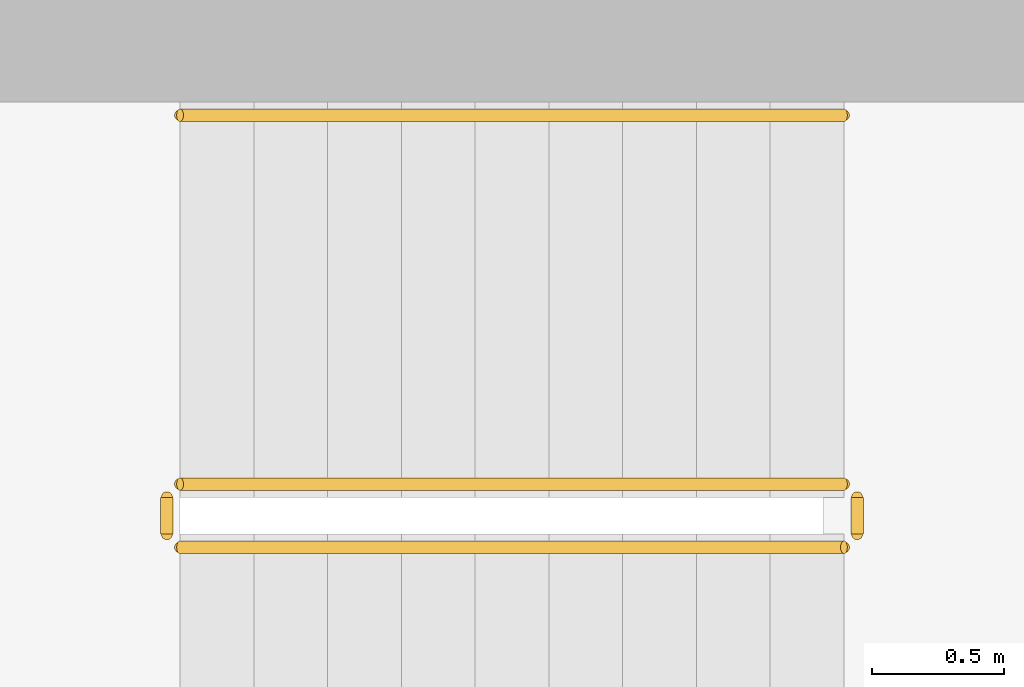
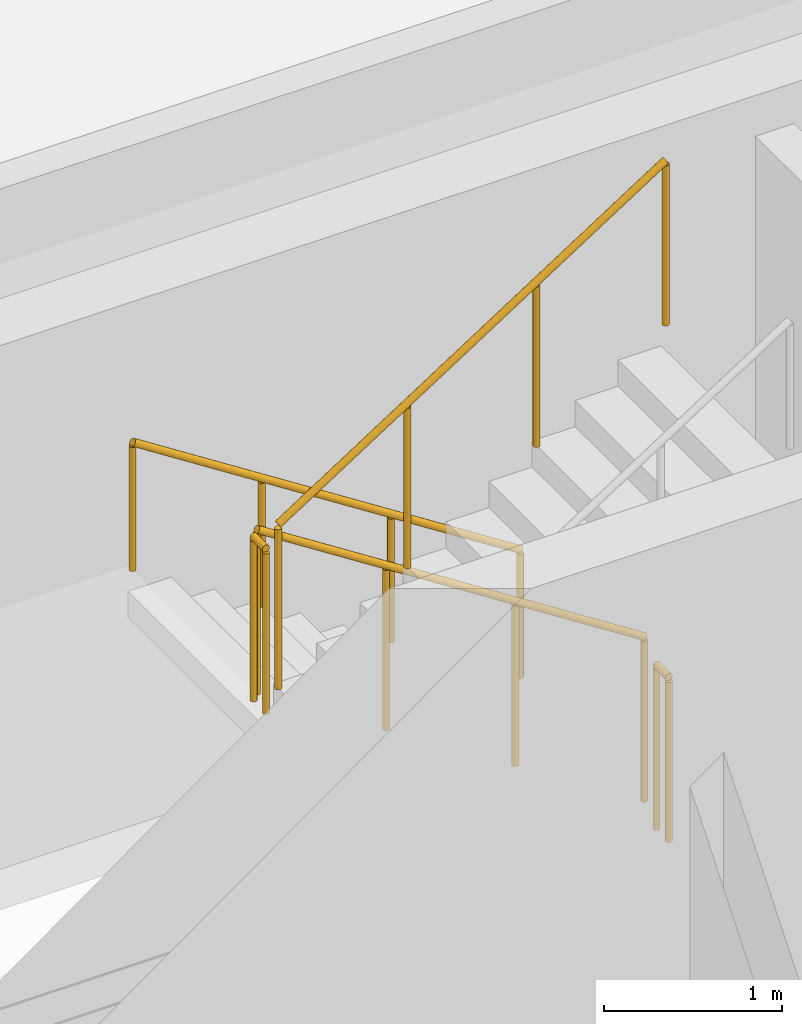
# One storey, part 11 of 12: 5 railings.
"""IFC4 building model written with IfcOpenShell, lengths in metres."""

from ifc_helpers import new_model, si_unit, derived_unit, direction, frame, origin, origin_2d, place, context, subcontext, project, spatial, circle, extrude, material, type_object, element, save


model = new_model("IFC4")

# Units and contexts
model_context = context("Model", 3, precision=1e-05, world=origin(), true_north=direction((0.0, 1.0)))
body_context = subcontext(model_context, "Body", "Model", "MODEL_VIEW")
ifc_project = project(units=[si_unit("LENGTHUNIT", "METRE"), si_unit("AREAUNIT", "SQUARE_METRE"), si_unit("VOLUMEUNIT", "CUBIC_METRE"), si_unit("PLANEANGLEUNIT", "RADIAN"), si_unit("MASSUNIT", "GRAM", prefix="KILO"), derived_unit("THERMALTRANSMITTANCEUNIT", [(si_unit("POWERUNIT", "WATT"), 1), (si_unit("LENGTHUNIT", "METRE"), -2), (si_unit("THERMODYNAMICTEMPERATUREUNIT", "KELVIN"), -1)])], contexts=[model_context])

# Site, building, storey
site_placement = place(None, origin())
site = spatial("IfcSite", under=ifc_project, at=site_placement, CompositionType="ELEMENT")
building_placement = place(site_placement, origin())
building = spatial("IfcBuilding", under=site, at=building_placement, Name="Kivonza Crest Hotel", CompositionType="ELEMENT")
storey_placement = place(building_placement, frame((0.0, 0.0, 184.699951171875)))
storey = spatial("IfcBuildingStorey", under=building, at=storey_placement, Name="L50", CompositionType="ELEMENT", Elevation=184.699951171875)

# Railings
ifc_material_1 = material(Name="Brushed stainless steel handrail", Category="steel")
railing_type_1 = type_object("IfcRailingType", Name="RL-HAND-900", PredefinedType="HANDRAIL", material=ifc_material_1)
railing_1_placement = place(storey_placement, frame((12.239990234375, 36.110107421875, 0.179931640625)))
element("IfcRailing", 1, at=railing_1_placement, inside=storey, type_object=railing_type_1, Name="L50 ST-T1-N stair handrail 1", PredefinedType="HANDRAIL", context=body_context, shape_type="SweptSolid", body=[
    extrude(circle(Radius=0.02392578125, at=origin_2d()), frame((0.0, 0.0, 0.8759765625), z_axis=(-0.841162588446, 0.0, 0.540782303519), x_axis=(0.0, -1.0, 0.0)), (0.0, 0.0, 1.0), 2.995849609375),
    extrude(circle(Radius=0.02099609375, at=origin_2d()), origin(), (0.0, 0.0, 1.0), 0.851806640625),
    extrude(circle(Radius=0.02099609375, at=origin_2d()), frame((-0.840087890625, 0.0, 0.5400390625)), (0.0, 0.0, 1.0), 0.851806640625),
    extrude(circle(Radius=0.02099609375, at=origin_2d()), frame((-1.679931640625, 0.0, 1.080078125)), (0.0, 0.0, 1.0), 0.851806640625),
    extrude(circle(Radius=0.02099609375, at=origin_2d()), frame((-2.52001953125, 0.0, 1.6201171875)), (0.0, 0.0, 1.0), 0.851806640625),
])
ifc_material_2 = material(Name="Painted steel balustrade", Category="steel")
railing_type_2 = type_object("IfcRailingType", Name="RL-STAIR-1150", PredefinedType="BALUSTRADE", material=ifc_material_2)
railing_2_placement = place(storey_placement, frame((12.239990234375, 34.7099609375, 0.179931640625)))
element("IfcRailing", 2, at=railing_2_placement, inside=storey, type_object=railing_type_2, Name="L50 ST-T1-N stair guard 1", PredefinedType="BALUSTRADE", context=body_context, shape_type="SweptSolid", body=[
    extrude(circle(Radius=0.02392578125, at=origin_2d()), frame((0.0, 0.0, 1.1259765625), z_axis=(-0.841162588446, 0.0, 0.540782303519), x_axis=(0.0, -1.0, 0.0)), (0.0, 0.0, 1.0), 2.995849609375),
    extrude(circle(Radius=0.02099609375, at=origin_2d()), origin(), (0.0, 0.0, 1.0), 1.101806640625),
    extrude(circle(Radius=0.02099609375, at=origin_2d()), frame((-0.840087890625, 0.0, 0.5400390625)), (0.0, 0.0, 1.0), 1.101806640625),
    extrude(circle(Radius=0.02099609375, at=origin_2d()), frame((-1.679931640625, 0.0, 1.080078125)), (0.0, 0.0, 1.0), 1.101806640625),
    extrude(circle(Radius=0.02099609375, at=origin_2d()), frame((-2.52001953125, 0.0, 1.6201171875)), (0.0, 0.0, 1.0), 1.101806640625),
])
railing_3_placement = place(storey_placement, frame((9.669921875, 34.659912109375, 1.800048828125)))
element("IfcRailing", 3, at=railing_3_placement, inside=storey, type_object=railing_type_2, Name="L50 ST-T1-N stair guard 2", PredefinedType="BALUSTRADE", context=body_context, shape_type="SweptSolid", body=[
    extrude(circle(Radius=0.02392578125, at=origin_2d()), frame((0.0, 0.0, 1.1259765625), z_axis=(0.0, -1.0, 0.0), x_axis=(1.0, 0.0, 0.0)), (0.0, 0.0, 1.0), 0.139892578125),
    extrude(circle(Radius=0.02099609375, at=origin_2d()), origin(), (0.0, 0.0, 1.0), 1.101806640625),
    extrude(circle(Radius=0.02099609375, at=origin_2d()), frame((0.0, -0.139892578125, 0.0)), (0.0, 0.0, 1.0), 1.101806640625),
])
railing_4_placement = place(storey_placement, frame((9.719970703125, 34.469970703125, 1.97998046875)))
element("IfcRailing", 4, at=railing_4_placement, inside=storey, type_object=railing_type_2, Name="L50 ST-T1-N stair guard 3", PredefinedType="BALUSTRADE", context=body_context, shape_type="SweptSolid", body=[
    extrude(circle(Radius=0.02392578125, at=origin_2d()), frame((0.0, 0.0, 1.1259765625), z_axis=(0.841162588446, 0.0, 0.540782303519), x_axis=(0.0, 1.0, 0.0)), (0.0, 0.0, 1.0), 2.995849609375),
    extrude(circle(Radius=0.02099609375, at=origin_2d()), origin(), (0.0, 0.0, 1.0), 1.101806640625),
    extrude(circle(Radius=0.02099609375, at=origin_2d()), frame((0.840087890625, 0.0, 0.5400390625)), (0.0, 0.0, 1.0), 1.101806640625),
    extrude(circle(Radius=0.02099609375, at=origin_2d()), frame((1.679931640625, 0.0, 1.080078125)), (0.0, 0.0, 1.0), 1.101806640625),
    extrude(circle(Radius=0.02099609375, at=origin_2d()), frame((2.52001953125, 0.0, 1.6201171875)), (0.0, 0.0, 1.0), 1.101806640625),
])
railing_5_placement = place(storey_placement, frame((12.2900390625, 34.659912109375, 0.0)))
element("IfcRailing", 5, at=railing_5_placement, inside=storey, type_object=railing_type_2, Name="L50 ST-T1-N stair guard 4", PredefinedType="BALUSTRADE", context=body_context, shape_type="SweptSolid", body=[
    extrude(circle(Radius=0.02392578125, at=origin_2d()), frame((0.0, 0.0, 1.1259765625), z_axis=(0.0, -1.0, 0.0), x_axis=(1.0, 0.0, 0.0)), (0.0, 0.0, 1.0), 0.139892578125),
    extrude(circle(Radius=0.02099609375, at=origin_2d()), origin(), (0.0, 0.0, 1.0), 1.101806640625),
    extrude(circle(Radius=0.02099609375, at=origin_2d()), frame((0.0, -0.139892578125, 0.0)), (0.0, 0.0, 1.0), 1.101806640625),
])

save(model, "model.ifc")
